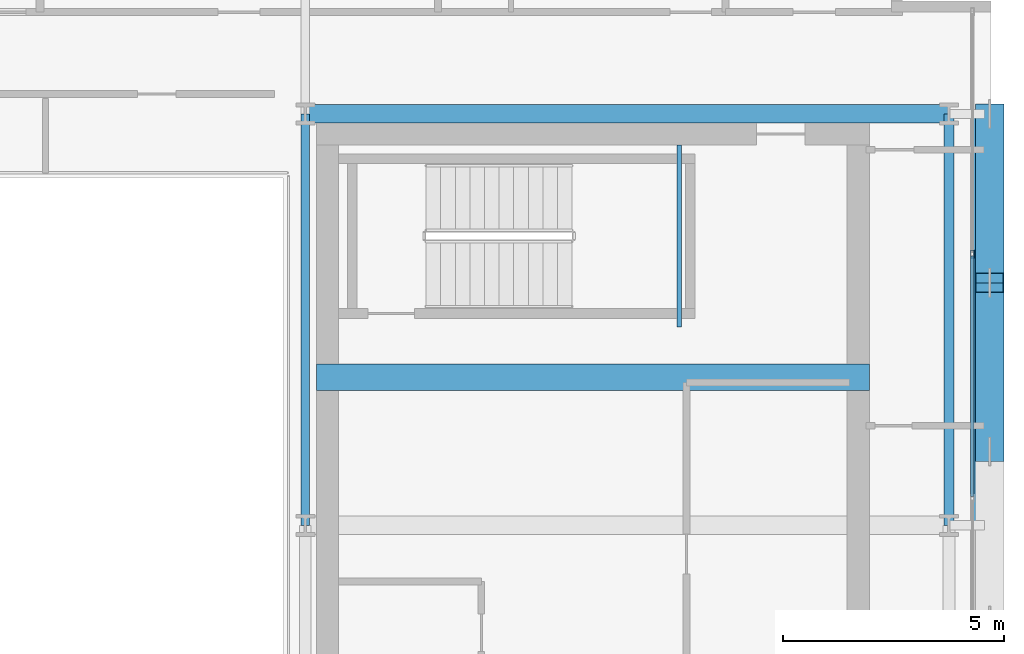
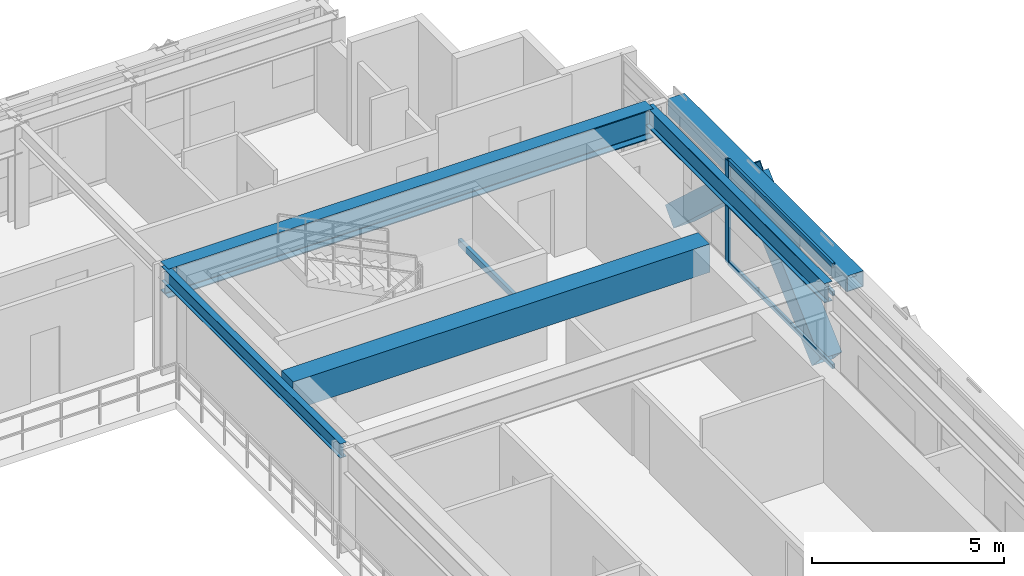
# One storey, part 14 of 32: 6 beams, 6 members, 1 element without a shape of its own.
"""IFC4 building model written with IfcOpenShell, lengths in metres."""

from ifc_helpers import new_model, si_unit, direction, frame, origin, origin_2d, place, context, subcontext, project, spatial, rectangle, hollow_rectangle, i_section, extrude, source, transform, mapped, material, layer, layer_set, material_profile, profile_set, type_object, element, aggregate, save


model = new_model("IFC4")

# Units and contexts
model_context = context("Model", 3, precision=1e-05, world=origin(), true_north=direction((0.0, 1.0)))
body_context = subcontext(model_context, "Body", "Model", "MODEL_VIEW")
ifc_project = project(units=[si_unit("LENGTHUNIT", "METRE"), si_unit("AREAUNIT", "SQUARE_METRE"), si_unit("VOLUMEUNIT", "CUBIC_METRE"), si_unit("PLANEANGLEUNIT", "RADIAN"), si_unit("MASSUNIT", "GRAM", prefix="KILO")], contexts=[model_context])

# Site, building, storey
site_placement = place(None, origin())
site = spatial("IfcSite", under=ifc_project, at=site_placement, CompositionType="ELEMENT")
building_placement = place(site_placement, origin())
building = spatial("IfcBuilding", under=site, at=building_placement, Name="Ocotamira Hotel", CompositionType="ELEMENT")
storey_placement = place(building_placement, frame((0.0, 0.0, 217.199951171875)))
storey = spatial("IfcBuildingStorey", under=building, at=storey_placement, Name="L55", CompositionType="ELEMENT", Elevation=217.199951171875)

# Beams
ifc_material_1 = material(Name="Concrete C50/60", Category="concrete")
ifc_material_profile_1 = material_profile(ifc_material_1, rectangle(XDim=0.60009765625, YDim=0.89990234375, at=origin_2d()), Name="RC600X900")
ifc_profile_set_1 = profile_set([ifc_material_profile_1], Name="Concrete C50/60")
beam_type_1 = type_object("IfcBeamType", Name="BM-LINK-RC600", PredefinedType="LINTEL", material=ifc_profile_set_1)
shared_shape_1 = source(origin(), body_context, "Body", "SweptSolid", [
    extrude(rectangle(XDim=0.60009765625, YDim=0.89990234375, at=origin_2d()), origin(), (0.0, 0.0, 1.0), 12.5),
])
beam_1_placement = place(storey_placement, frame((40.75, 31.5, 2.830078125), z_axis=(1.0, 0.0, 0.0), x_axis=(0.0, 1.0, 0.0)))
element("IfcBeam", 1, at=beam_1_placement, inside=storey, type_object=beam_type_1, Name="L55 East Core Coupling Beam", PredefinedType="LINTEL", context=body_context, shape_type="MappedRepresentation", body=[
    mapped(shared_shape_1, transform((0.0, 0.0, 0.0), scale=1.0)),
])
ifc_material_2 = material(Name="Steel ASTM A500 Grade C", Category="steel")
ifc_material_profile_2 = material_profile(ifc_material_2, hollow_rectangle(XDim=0.10009765625, YDim=0.199951171875, WallThickness=0.008056640625, at=origin_2d()), Name="HSS200X100X8")
ifc_profile_set_2 = profile_set([ifc_material_profile_2], Name="Steel ASTM A500 Grade C")
beam_type_2 = type_object("IfcBeamType", Name="BM-STLDG-HSS200", PredefinedType="BEAM", material=ifc_profile_set_2)
shared_shape_2 = source(origin(), body_context, "Body", "SweptSolid", [
    extrude(hollow_rectangle(XDim=0.10009765625, YDim=0.199951171875, WallThickness=0.008056640625, at=origin_2d()), origin(), (0.0, 0.0, 1.0), 4.1201171875),
])
beam_2_placement = place(storey_placement, frame((48.949951171875, 32.6298828125, 1.5), z_axis=(0.0, 1.0, 0.0), x_axis=(-1.0, 0.0, 0.0)))
element("IfcBeam", 2, at=beam_2_placement, inside=storey, type_object=beam_type_2, Name="L55 Stair ST-4 Landing Bearer 1", PredefinedType="BEAM", context=body_context, shape_type="MappedRepresentation", body=[
    mapped(shared_shape_2, transform((0.0, 0.0, 0.0), scale=1.0)),
])
ifc_material_3 = material(Name="Steel ASTM A992 Grade 50", Category="steel")
ifc_material_profile_3 = material_profile(ifc_material_3, i_section(OverallWidth=0.41796875, OverallDepth=0.927001953125, WebThickness=0.019287109375, FlangeThickness=0.031982421875, FilletRadius=0.02392578125, at=origin_2d()), Name="W36X231")
ifc_profile_set_3 = profile_set([ifc_material_profile_3], Name="Steel ASTM A992 Grade 50")
beam_type_3 = type_object("IfcBeamType", Name="BM-GIRD-W36X231", PredefinedType="BEAM", material=ifc_profile_set_3)
shared_shape_3 = source(origin(), body_context, "Body", "SweptSolid", [
    extrude(i_section(OverallWidth=0.41796875, OverallDepth=0.927001953125, WebThickness=0.019287109375, FlangeThickness=0.031982421875, FilletRadius=0.02392578125, at=origin_2d()), origin(), (0.0, 0.0, 1.0), 14.550048828125),
])
beam_3_placement = place(storey_placement, frame((40.5, 37.449951171875, 2.816650390625), z_axis=(1.0, 0.0, 0.0), x_axis=(0.0, 1.0, 0.0)))
element("IfcBeam", 3, at=beam_3_placement, inside=storey, type_object=beam_type_3, Name="L55 Girder Y37.45 X40.5-55.05", PredefinedType="BEAM", context=body_context, shape_type="MappedRepresentation", body=[
    mapped(shared_shape_3, transform((0.0, 0.0, 0.0), scale=1.0)),
])
ifc_material_profile_4 = material_profile(ifc_material_3, i_section(OverallWidth=0.22998046875, OverallDepth=0.616943359375, WebThickness=0.01318359375, FlangeThickness=0.022216796875, FilletRadius=0.012939453125, at=origin_2d()), Name="W24X94")
ifc_profile_set_4 = profile_set([ifc_material_profile_4], Name="Steel ASTM A992 Grade 50")
beam_type_4 = type_object("IfcBeamType", Name="BM-PRIM-W24X94", PredefinedType="BEAM", material=ifc_profile_set_4)
shared_shape_4 = source(origin(), body_context, "Body", "SweptSolid", [
    extrude(i_section(OverallWidth=0.22998046875, OverallDepth=0.616943359375, WebThickness=0.01318359375, FlangeThickness=0.022216796875, FilletRadius=0.012939453125, at=origin_2d()), origin(), (0.0, 0.0, 1.0), 9.300048828125),
])
beam_4_placement = place(storey_placement, frame((55.050048828125, 28.14990234375, 2.971435546875), z_axis=(0.0, 1.0, 0.0), x_axis=(-1.0, 0.0, 0.0)))
element("IfcBeam", 4, at=beam_4_placement, inside=storey, type_object=beam_type_4, Name="L55 Beam X55.05 Y28.15-37.45", PredefinedType="BEAM", context=body_context, shape_type="MappedRepresentation", body=[
    mapped(shared_shape_4, transform((0.0, 0.0, 0.0), scale=1.0)),
])
ifc_material_profile_5 = material_profile(ifc_material_3, i_section(OverallWidth=0.18994140625, OverallDepth=0.45703125, WebThickness=0.009033203125, FlangeThickness=0.014404296875, FilletRadius=0.010009765625, at=origin_2d()), Name="W18X50")
ifc_profile_set_5 = profile_set([ifc_material_profile_5], Name="Steel ASTM A992 Grade 50")
beam_type_5 = type_object("IfcBeamType", Name="BM-SEC-W18X50", PredefinedType="JOIST", material=ifc_profile_set_5)
shared_shape_5 = source(origin(), body_context, "Body", "SweptSolid", [
    extrude(i_section(OverallWidth=0.18994140625, OverallDepth=0.45703125, WebThickness=0.009033203125, FlangeThickness=0.014404296875, FilletRadius=0.010009765625, at=origin_2d()), origin(), (0.0, 0.0, 1.0), 9.300048828125),
])
beam_5_placement = place(storey_placement, frame((40.5, 28.14990234375, 3.051513671875), z_axis=(0.0, 1.0, 0.0), x_axis=(-1.0, 0.0, 0.0)))
element("IfcBeam", 5, at=beam_5_placement, inside=storey, type_object=beam_type_5, Name="L55 Beam X40.5 Y28.15-37.45", PredefinedType="JOIST", context=body_context, shape_type="MappedRepresentation", body=[
    mapped(shared_shape_5, transform((0.0, 0.0, 0.0), scale=1.0)),
])
ifc_material_profile_6 = material_profile(ifc_material_2, hollow_rectangle(XDim=0.5, YDim=0.5, WallThickness=0.02001953125, at=origin_2d()), Name="HSS500X500X20")
ifc_profile_set_6 = profile_set([ifc_material_profile_6], Name="Steel ASTM A500 Grade C")
beam_type_6 = type_object("IfcBeamType", Name="BM-SPAN-HSS500", PredefinedType="USERDEFINED", material=ifc_profile_set_6)
shared_shape_6 = source(origin(), body_context, "Body", "SweptSolid", [
    extrude(hollow_rectangle(XDim=0.5, YDim=0.5, WallThickness=0.02001953125, at=origin_2d()), origin(), (0.0, 0.0, 1.0), 9.300048828125),
])
beam_6_placement = place(storey_placement, frame((55.85009765625, 28.14990234375, 3.030029296875), z_axis=(0.0, 1.0, 0.0), x_axis=(-1.0, 0.0, 0.0)))
element("IfcBeam", 6, at=beam_6_placement, inside=storey, type_object=beam_type_6, Name="L55 Edge Spandrel E Y28.15-37.45", ObjectType="SPANDREL", PredefinedType="USERDEFINED", context=body_context, shape_type="MappedRepresentation", body=[
    mapped(shared_shape_6, transform((0.0, 0.0, 0.0), scale=1.0)),
])

# Members
ifc_material_4 = material(Name="Pale-metal coated steel ASTM A913 Grade 65", Category="steel")
ifc_material_profile_7 = material_profile(ifc_material_4, hollow_rectangle(XDim=0.64990234375, YDim=0.64990234375, WallThickness=0.02197265625, at=origin_2d()), Name="BOX650X650X22")
ifc_profile_set_7 = profile_set([ifc_material_profile_7], Name="Pale-metal coated steel ASTM A913 Grade 65")
member_type_1 = type_object("IfcMemberType", Name="MEM-EXO-BOX650", PredefinedType="BRACE", material=ifc_profile_set_7)
shared_shape_7 = source(origin(), body_context, "Body", "SweptSolid", [
    extrude(hollow_rectangle(XDim=0.64990234375, YDim=0.64990234375, WallThickness=0.02197265625, at=origin_2d()), origin(), (0.0, 0.0, 1.0), 5.185302734375),
])
for number, where, z_axis, x_axis, name in (
    (7, (55.969970703125, 29.816650390625, -0.47998046875), (0.0, 0.736056745537, 0.6769198382), (-1.0, 0.0, 0.0), "L55 Exoskeleton Diagrid E2.1"),
    (8, (55.969970703125, 37.449951171875, -0.47998046875), (0.0, -0.736056745537, 0.6769198382), (1.0, 0.0, 0.0), "L55 Exoskeleton Diagrid E2.2"),
):
    element("IfcMember", number, at=place(storey_placement, frame(where, z_axis=z_axis, x_axis=x_axis)), inside=storey, type_object=member_type_1, Name=name, PredefinedType="BRACE", context=body_context, shape_type="MappedRepresentation", body=[
        mapped(shared_shape_7, transform((0.0, 0.0, 0.0), scale=1.0)),
    ])

# Curtain wall, members
ifc_material_5 = material(Name="Anodised pale-metal aluminium and solar glass", Category="aluminium")
ifc_layer = layer(ifc_material_5, 0.199951171875)
ifc_layer_set = layer_set([ifc_layer], Name="Anodised pale-metal aluminium and solar glass")
curtain_wall_type = type_object("IfcCurtainWallType", Name="CW-SYS4-Z3", PredefinedType="NOTDEFINED", material=ifc_layer_set)
curtain_wall_placement = place(storey_placement, origin())
curtain_wall = element("IfcCurtainWall", 9, at=curtain_wall_placement, inside=storey, type_object=curtain_wall_type, Name="L55 Curtain Wall CW-4 CW-L55-E", PredefinedType="NOTDEFINED")
ifc_material_6 = material(Name="Anodised pale-metal aluminium 6063-T6", Category="aluminium")
ifc_material_profile_8 = material_profile(ifc_material_6, hollow_rectangle(XDim=0.074951171875, YDim=0.14990234375, WallThickness=0.006103515625, at=origin_2d()), Name="HSS150X75X6")
ifc_profile_set_8 = profile_set([ifc_material_profile_8], Name="Anodised pale-metal aluminium 6063-T6")
member_type_2 = type_object("IfcMemberType", Name="CWT-150X75", PredefinedType="USERDEFINED", material=ifc_profile_set_8)
shared_shape_8 = source(origin(), body_context, "Body", "SweptSolid", [
    extrude(hollow_rectangle(XDim=0.074951171875, YDim=0.14990234375, WallThickness=0.006103515625, at=origin_2d()), origin(), (0.0, 0.0, 1.0), 5.43994140625),
])
member_1_placement = place(storey_placement, frame((55.580078125, 28.800048828125, 0.03759765625), z_axis=(0.0, 1.0, 0.0), x_axis=(-1.0, 0.0, 0.0)))
member_1 = element("IfcMember", 10, at=member_1_placement, type_object=member_type_2, Name="CW-4 transom 4.1", ObjectType="TRANSOM", PredefinedType="USERDEFINED", context=body_context, shape_type="MappedRepresentation", body=[
    mapped(shared_shape_8, transform((0.0, 0.0, 0.0), scale=1.0)),
])
member_2_placement = place(storey_placement, frame((55.580078125, 28.800048828125, 2.35009765625), z_axis=(0.0, 1.0, 0.0), x_axis=(-1.0, 0.0, 0.0)))
member_2 = element("IfcMember", 11, at=member_2_placement, type_object=member_type_2, Name="CW-4 transom 4.2", ObjectType="TRANSOM", PredefinedType="USERDEFINED", context=body_context, shape_type="MappedRepresentation", body=[
    mapped(shared_shape_8, transform((0.0, 0.0, 0.0), scale=1.0)),
])
member_3_placement = place(storey_placement, frame((55.580078125, 28.800048828125, 3.242431640625), z_axis=(0.0, 1.0, 0.0), x_axis=(-1.0, 0.0, 0.0)))
member_3 = element("IfcMember", 12, at=member_3_placement, type_object=member_type_2, Name="CW-4 transom 4.3", ObjectType="TRANSOM", PredefinedType="USERDEFINED", context=body_context, shape_type="MappedRepresentation", body=[
    mapped(shared_shape_8, transform((0.0, 0.0, 0.0), scale=1.0)),
])
ifc_material_profile_9 = material_profile(ifc_material_6, hollow_rectangle(XDim=0.080078125, YDim=0.179931640625, WallThickness=0.006103515625, at=origin_2d()), Name="HSS180X80X6")
ifc_profile_set_9 = profile_set([ifc_material_profile_9], Name="Anodised pale-metal aluminium 6063-T6")
member_type_3 = type_object("IfcMemberType", Name="CWM-180X75", PredefinedType="MULLION", material=ifc_profile_set_9)
shared_shape_9 = source(origin(), body_context, "Body", "SweptSolid", [
    extrude(hollow_rectangle(XDim=0.080078125, YDim=0.179931640625, WallThickness=0.006103515625, at=origin_2d()), origin(), (0.0, 0.0, 1.0), 3.280029296875),
])
member_4_placement = place(storey_placement, frame((55.580078125, 34.280029296875, 0.0), z_axis=(0.0, 0.0, 1.0), x_axis=(-1.0, 0.0, 0.0)))
member_4 = element("IfcMember", 13, at=member_4_placement, type_object=member_type_3, Name="CW-4 mullion 5", PredefinedType="MULLION", context=body_context, shape_type="MappedRepresentation", body=[
    mapped(shared_shape_9, transform((0.0, 0.0, 0.0), scale=1.0)),
])
aggregate(curtain_wall, [member_4, member_1, member_2, member_3])

save(model, "model.ifc")
